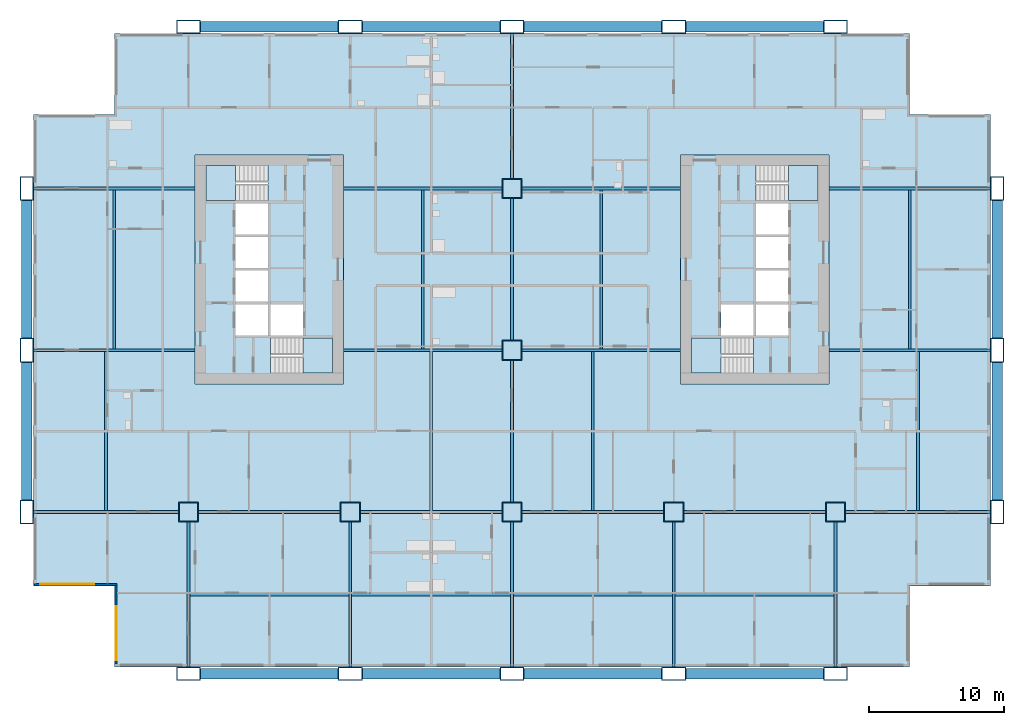
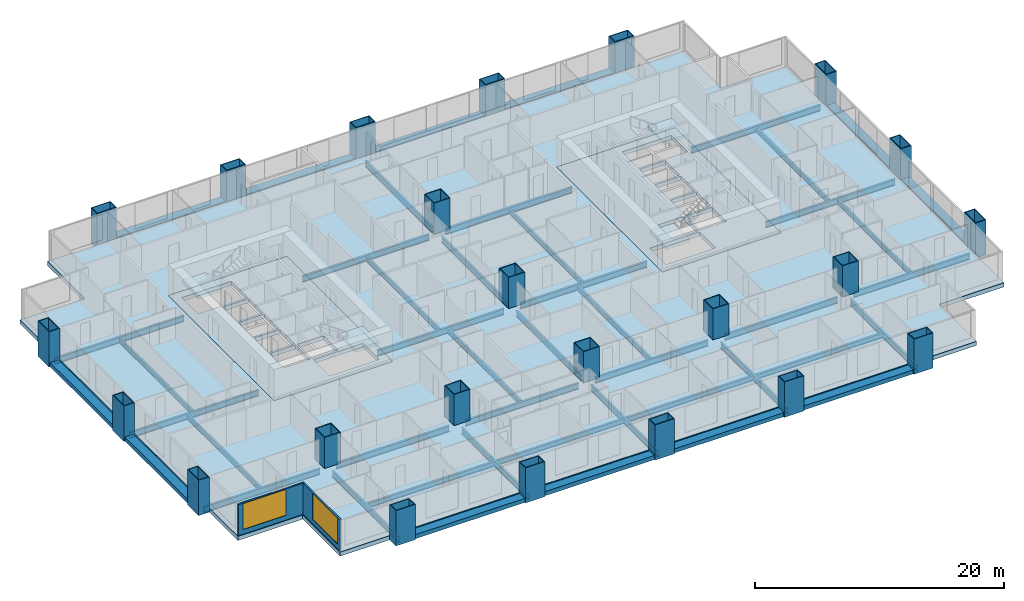
# One storey, part 1 of 13: 46 beams, 23 columns, 7 slabs, 2 walls, 2 windows, 2 openings, 4 elements without a shape of their own.
"""IFC4 building model written with IfcOpenShell, lengths in metres."""

from ifc_helpers import new_model, si_unit, direction, frame, frame_2d, origin, origin_2d, place, context, subcontext, project, spatial, polyline, rectangle, hollow_rectangle, i_section, outline, extrude, material, layer, layer_set, material_profile, profile_set, type_object, element, fill, aggregate, save


model = new_model("IFC4")

# Units and contexts
model_context = context("Model", 3, precision=1e-05, world=origin(), true_north=direction((0.0, 1.0)))
body_context = subcontext(model_context, "Body", "Model", "MODEL_VIEW")
ifc_project = project(units=[si_unit("LENGTHUNIT", "METRE"), si_unit("AREAUNIT", "SQUARE_METRE"), si_unit("VOLUMEUNIT", "CUBIC_METRE"), si_unit("PLANEANGLEUNIT", "RADIAN"), si_unit("MASSUNIT", "GRAM", prefix="KILO")], contexts=[model_context])

# Site, building, storey
site_placement = place(None, origin())
site = spatial("IfcSite", under=ifc_project, at=site_placement, CompositionType="ELEMENT")
building_placement = place(site_placement, origin())
building = spatial("IfcBuilding", under=site, at=building_placement, Name="Kitamizu Gate Tower and Museum", CompositionType="ELEMENT")
storey_placement = place(building_placement, frame((0.0, 0.0, 47.25)))
storey = spatial("IfcBuildingStorey", under=building, at=storey_placement, Name="L10", CompositionType="ELEMENT", Elevation=47.25)

# Columns
ifc_material_1 = material(Name="Steel SM490A bronze coated", Category="steel")
ifc_material_profile_1 = material_profile(ifc_material_1, hollow_rectangle(XDim=1.800048828125, YDim=1.0, WallThickness=0.070068359375, at=origin_2d()), Name="BOX 1800x1000x70")
ifc_profile_set_1 = profile_set([ifc_material_profile_1], Name="Steel SM490A bronze coated")
column_type_1 = type_object("IfcColumnType", Name="Exoskeleton column XC2 BOX 1800x1000x70", PredefinedType="COLUMN", material=ifc_profile_set_1)
for number, where, z_axis, x_axis, name in (
    (1, (0.0, 12.0, -0.39990234375), (0.0, 0.0, 1.0), (0.0, 1.0, 0.0), "Column XC2 1B L10"),
    (2, (0.0, 24.0, -0.39990234375), (0.0, 0.0, 1.0), (0.0, 1.0, 0.0), "Column XC2 1C L10"),
    (3, (0.0, 36.0, -0.39990234375), (0.0, 0.0, 1.0), (0.0, 1.0, 0.0), "Column XC2 1D L10"),
    (4, (12.0, 0.0, -0.39990234375), (0.0, 0.0, 1.0), (1.0, 0.0, 0.0), "Column XC2 2A L10"),
    (5, (12.0, 48.0, -0.39990234375), (0.0, 0.0, 1.0), (1.0, 0.0, 0.0), "Column XC2 2E L10"),
    (6, (24.0, 0.0, -0.39990234375), (0.0, 0.0, 1.0), (1.0, 0.0, 0.0), "Column XC2 3A L10"),
    (7, (24.0, 48.0, -0.39990234375), (0.0, 0.0, 1.0), (1.0, 0.0, 0.0), "Column XC2 3E L10"),
    (8, (36.0, 0.0, -0.39990234375), (0.0, 0.0, 1.0), (1.0, 0.0, 0.0), "Column XC2 4A L10"),
    (9, (36.0, 48.0, -0.39990234375), (0.0, 0.0, 1.0), (1.0, 0.0, 0.0), "Column XC2 4E L10"),
    (10, (48.0, 0.0, -0.39990234375), (0.0, 0.0, 1.0), (1.0, 0.0, 0.0), "Column XC2 5A L10"),
    (11, (48.0, 48.0, -0.39990234375), (0.0, 0.0, 1.0), (1.0, 0.0, 0.0), "Column XC2 5E L10"),
    (12, (60.0, 0.0, -0.39990234375), (0.0, 0.0, 1.0), (1.0, 0.0, 0.0), "Column XC2 6A L10"),
    (13, (60.0, 48.0, -0.39990234375), (0.0, 0.0, 1.0), (1.0, 0.0, 0.0), "Column XC2 6E L10"),
    (14, (72.0, 12.0, -0.39990234375), (0.0, 0.0, 1.0), (0.0, 1.0, 0.0), "Column XC2 7B L10"),
    (15, (72.0, 24.0, -0.39990234375), (0.0, 0.0, 1.0), (0.0, 1.0, 0.0), "Column XC2 7C L10"),
    (16, (72.0, 36.0, -0.39990234375), (0.0, 0.0, 1.0), (0.0, 1.0, 0.0), "Column XC2 7D L10"),
):
    element("IfcColumn", number, at=place(storey_placement, frame(where, z_axis=z_axis, x_axis=x_axis)), inside=storey, type_object=column_type_1, Name=name, PredefinedType="COLUMN", context=body_context, shape_type="SweptSolid", body=[
        extrude(hollow_rectangle(XDim=1.800048828125, YDim=1.0, WallThickness=0.070068359375, at=origin_2d()), origin(), (0.0, 0.0, 1.0), 3.449951171875),
    ])
ifc_material_2 = material(Name="Steel SM490A", Category="steel")
ifc_material_profile_2 = material_profile(ifc_material_2, hollow_rectangle(XDim=1.5, YDim=1.5, WallThickness=0.06494140625, at=origin_2d()), Name="BOX 1500x1500x65")
ifc_profile_set_2 = profile_set([ifc_material_profile_2], Name="Steel SM490A")
column_type_2 = type_object("IfcColumnType", Name="Interior column IC2 BOX 1500x1500x65", PredefinedType="COLUMN", material=ifc_profile_set_2)
for number, where, z_axis, x_axis, name in (
    (17, (12.0, 12.0, 0.0), (0.0, 0.0, 1.0), (1.0, 0.0, 0.0), "Column IC2 2B L10"),
    (18, (24.0, 12.0, 0.0), (0.0, 0.0, 1.0), (1.0, 0.0, 0.0), "Column IC2 3B L10"),
    (19, (36.0, 12.0, 0.0), (0.0, 0.0, 1.0), (1.0, 0.0, 0.0), "Column IC2 4B L10"),
    (20, (36.0, 24.0, 0.0), (0.0, 0.0, 1.0), (1.0, 0.0, 0.0), "Column IC2 4C L10"),
    (21, (36.0, 36.0, 0.0), (0.0, 0.0, 1.0), (1.0, 0.0, 0.0), "Column IC2 4D L10"),
    (22, (48.0, 12.0, 0.0), (0.0, 0.0, 1.0), (1.0, 0.0, 0.0), "Column IC2 5B L10"),
    (23, (60.0, 12.0, 0.0), (0.0, 0.0, 1.0), (1.0, 0.0, 0.0), "Column IC2 6B L10"),
):
    element("IfcColumn", number, at=place(storey_placement, frame(where, z_axis=z_axis, x_axis=x_axis)), inside=storey, type_object=column_type_2, Name=name, PredefinedType="COLUMN", context=body_context, shape_type="SweptSolid", body=[
        extrude(hollow_rectangle(XDim=1.5, YDim=1.5, WallThickness=0.06494140625, at=origin_2d()), origin(), (0.0, 0.0, 1.0), 3.050048828125),
    ])

# Beams
ifc_material_3 = material(Name="Steel SM490A bronze coated", Category="steel")
ifc_material_profile_3 = material_profile(ifc_material_3, hollow_rectangle(XDim=0.800048828125, YDim=0.39990234375, WallThickness=0.0400390625, at=origin_2d()), Name="BOX 800x400x40")
ifc_profile_set_3 = profile_set([ifc_material_profile_3], Name="Steel SM490A bronze coated")
beam_type_1 = type_object("IfcBeamType", Name="Exoskeleton spandrel beam SB1 BOX 800x400x40", PredefinedType="SPANDREL", material=ifc_profile_set_3)
for number, where, z_axis, x_axis, name in (
    (24, (12.89990234375, 0.0, -0.199951171875), (1.0, 0.0, 0.0), (0.0, 1.0, 0.0), "Exoskeleton spandrel beam south 12 L10"),
    (25, (24.89990234375, 0.0, -0.199951171875), (1.0, 0.0, 0.0), (0.0, 1.0, 0.0), "Exoskeleton spandrel beam south 24 L10"),
    (26, (36.89990234375, 0.0, -0.199951171875), (1.0, 0.0, 0.0), (0.0, 1.0, 0.0), "Exoskeleton spandrel beam south 36 L10"),
    (27, (48.89990234375, 0.0, -0.199951171875), (1.0, 0.0, 0.0), (0.0, 1.0, 0.0), "Exoskeleton spandrel beam south 48 L10"),
    (28, (12.89990234375, 48.0, -0.199951171875), (1.0, 0.0, 0.0), (0.0, 1.0, 0.0), "Exoskeleton spandrel beam north 12 L10"),
    (29, (24.89990234375, 48.0, -0.199951171875), (1.0, 0.0, 0.0), (0.0, 1.0, 0.0), "Exoskeleton spandrel beam north 24 L10"),
    (30, (36.89990234375, 48.0, -0.199951171875), (1.0, 0.0, 0.0), (0.0, 1.0, 0.0), "Exoskeleton spandrel beam north 36 L10"),
    (31, (48.89990234375, 48.0, -0.199951171875), (1.0, 0.0, 0.0), (0.0, 1.0, 0.0), "Exoskeleton spandrel beam north 48 L10"),
    (32, (0.0, 12.89990234375, -0.199951171875), (0.0, 1.0, 0.0), (-1.0, 0.0, 0.0), "Exoskeleton spandrel beam west 12 L10"),
    (33, (0.0, 24.89990234375, -0.199951171875), (0.0, 1.0, 0.0), (-1.0, 0.0, 0.0), "Exoskeleton spandrel beam west 24 L10"),
    (34, (72.0, 12.89990234375, -0.199951171875), (0.0, 1.0, 0.0), (-1.0, 0.0, 0.0), "Exoskeleton spandrel beam east 12 L10"),
    (35, (72.0, 24.89990234375, -0.199951171875), (0.0, 1.0, 0.0), (-1.0, 0.0, 0.0), "Exoskeleton spandrel beam east 24 L10"),
):
    element("IfcBeam", number, at=place(storey_placement, frame(where, z_axis=z_axis, x_axis=x_axis)), inside=storey, type_object=beam_type_1, Name=name, PredefinedType="SPANDREL", context=body_context, shape_type="SweptSolid", body=[
        extrude(hollow_rectangle(XDim=0.800048828125, YDim=0.39990234375, WallThickness=0.0400390625, at=origin_2d()), origin(), (0.0, 0.0, 1.0), 10.2001953125),
    ])
ifc_material_4 = material(Name="Steel SM490A", Category="steel")
ifc_material_profile_4 = material_profile(ifc_material_4, i_section(OverallWidth=0.199951171875, OverallDepth=0.5, WebThickness=0.010009765625, FlangeThickness=0.01611328125, FilletRadius=0.02001953125, at=origin_2d()), Name="H-500x200x10x16")
ifc_profile_set_4 = profile_set([ifc_material_profile_4], Name="Steel SM490A")
beam_type_2 = type_object("IfcBeamType", Name="Floor beam FB1 H 500x200x10x16", PredefinedType="BEAM", material=ifc_profile_set_4)
for number, where, z_axis, x_axis, name in (
    (36, (12.10009765625, 5.875, -0.64990234375), (1.0, 0.0, 0.0), (0.0, 1.0, 0.0), "Floor beam FB1 L10-1"),
    (37, (24.10009765625, 5.875, -0.64990234375), (1.0, 0.0, 0.0), (0.0, 1.0, 0.0), "Floor beam FB1 L10-2"),
    (38, (36.10009765625, 5.875, -0.64990234375), (1.0, 0.0, 0.0), (0.0, 1.0, 0.0), "Floor beam FB1 L10-3"),
    (39, (48.10009765625, 5.875, -0.64990234375), (1.0, 0.0, 0.0), (0.0, 1.0, 0.0), "Floor beam FB1 L10-4"),
    (40, (5.875, 12.10009765625, -0.64990234375), (0.0, 1.0, 0.0), (-1.0, 0.0, 0.0), "Floor beam FB1 L10-5"),
    (41, (30.0, 12.10009765625, -0.64990234375), (0.0, 1.0, 0.0), (-1.0, 0.0, 0.0), "Floor beam FB1 L10-6"),
    (42, (42.0, 12.10009765625, -0.64990234375), (0.0, 1.0, 0.0), (-1.0, 0.0, 0.0), "Floor beam FB1 L10-7"),
    (43, (66.125, 12.10009765625, -0.64990234375), (0.0, 1.0, 0.0), (-1.0, 0.0, 0.0), "Floor beam FB1 L10-8"),
    (44, (6.5, 24.10009765625, -0.64990234375), (0.0, 1.0, 0.0), (-1.0, 0.0, 0.0), "Floor beam FB1 L10-9"),
    (45, (29.375, 24.10009765625, -0.64990234375), (0.0, 1.0, 0.0), (-1.0, 0.0, 0.0), "Floor beam FB1 L10-10"),
    (46, (42.625, 24.10009765625, -0.64990234375), (0.0, 1.0, 0.0), (-1.0, 0.0, 0.0), "Floor beam FB1 L10-11"),
    (47, (65.5, 24.10009765625, -0.64990234375), (0.0, 1.0, 0.0), (-1.0, 0.0, 0.0), "Floor beam FB1 L10-12"),
):
    element("IfcBeam", number, at=place(storey_placement, frame(where, z_axis=z_axis, x_axis=x_axis)), inside=storey, type_object=beam_type_2, Name=name, PredefinedType="BEAM", context=body_context, shape_type="SweptSolid", body=[
        extrude(i_section(OverallWidth=0.199951171875, OverallDepth=0.5, WebThickness=0.010009765625, FlangeThickness=0.01611328125, FilletRadius=0.02001953125, at=origin_2d()), origin(), (0.0, 0.0, 1.0), 11.7998046875),
    ])
ifc_material_5 = material(Name="Steel SM490A", Category="steel")
ifc_material_profile_5 = material_profile(ifc_material_5, i_section(OverallWidth=0.199951171875, OverallDepth=0.60009765625, WebThickness=0.010986328125, FlangeThickness=0.01708984375, FilletRadius=0.02197265625, at=origin_2d()), Name="H-600x200x11x17")
ifc_profile_set_5 = profile_set([ifc_material_profile_5], Name="Steel SM490A")
beam_type_3 = type_object("IfcBeamType", Name="Floor girder FG1 H 600x200x11x17", PredefinedType="BEAM", material=ifc_profile_set_5)
for number, where, z_axis, x_axis, name in (
    (48, (12.0, 0.5, -0.699951171875), (0.0, 1.0, 0.0), (-1.0, 0.0, 0.0), "Floor girder FG1 x12 L10"),
    (49, (24.0, 0.5, -0.699951171875), (0.0, 1.0, 0.0), (-1.0, 0.0, 0.0), "Floor girder FG1 x24 L10"),
    (50, (36.0, 0.5, -0.699951171875), (0.0, 1.0, 0.0), (-1.0, 0.0, 0.0), "Floor girder FG1 x36 L10"),
):
    element("IfcBeam", number, at=place(storey_placement, frame(where, z_axis=z_axis, x_axis=x_axis)), inside=storey, type_object=beam_type_3, Name=name, PredefinedType="BEAM", context=body_context, shape_type="SweptSolid", body=[
        extrude(i_section(OverallWidth=0.199951171875, OverallDepth=0.60009765625, WebThickness=0.010986328125, FlangeThickness=0.01708984375, FilletRadius=0.02197265625, at=origin_2d()), origin(), (0.0, 0.0, 1.0), 10.75),
    ])
for number, where, z_axis, x_axis, name in (
    (51, (36.0, 12.75, -0.699951171875), (0.0, 1.0, 0.0), (-1.0, 0.0, 0.0), "Floor girder FG1 x36 L10"),
    (52, (36.0, 24.75, -0.699951171875), (0.0, 1.0, 0.0), (-1.0, 0.0, 0.0), "Floor girder FG1 x36 L10"),
):
    element("IfcBeam", number, at=place(storey_placement, frame(where, z_axis=z_axis, x_axis=x_axis)), inside=storey, type_object=beam_type_3, Name=name, PredefinedType="BEAM", context=body_context, shape_type="SweptSolid", body=[
        extrude(i_section(OverallWidth=0.199951171875, OverallDepth=0.60009765625, WebThickness=0.010986328125, FlangeThickness=0.01708984375, FilletRadius=0.02197265625, at=origin_2d()), origin(), (0.0, 0.0, 1.0), 10.5),
    ])
for number, where, z_axis, x_axis, name in (
    (53, (36.0, 36.75, -0.699951171875), (0.0, 1.0, 0.0), (-1.0, 0.0, 0.0), "Floor girder FG1 x36 L10"),
    (54, (48.0, 0.5, -0.699951171875), (0.0, 1.0, 0.0), (-1.0, 0.0, 0.0), "Floor girder FG1 x48 L10"),
    (55, (60.0, 0.5, -0.699951171875), (0.0, 1.0, 0.0), (-1.0, 0.0, 0.0), "Floor girder FG1 x60 L10"),
    (56, (0.5, 12.0, -0.699951171875), (1.0, 0.0, 0.0), (0.0, 1.0, 0.0), "Floor girder FG1 y12 L10"),
):
    element("IfcBeam", number, at=place(storey_placement, frame(where, z_axis=z_axis, x_axis=x_axis)), inside=storey, type_object=beam_type_3, Name=name, PredefinedType="BEAM", context=body_context, shape_type="SweptSolid", body=[
        extrude(i_section(OverallWidth=0.199951171875, OverallDepth=0.60009765625, WebThickness=0.010986328125, FlangeThickness=0.01708984375, FilletRadius=0.02197265625, at=origin_2d()), origin(), (0.0, 0.0, 1.0), 10.75),
    ])
for number, where, z_axis, x_axis, name in (
    (57, (12.75, 12.0, -0.699951171875), (1.0, 0.0, 0.0), (0.0, 1.0, 0.0), "Floor girder FG1 y12 L10"),
    (58, (24.75, 12.0, -0.699951171875), (1.0, 0.0, 0.0), (0.0, 1.0, 0.0), "Floor girder FG1 y12 L10"),
    (59, (36.75, 12.0, -0.699951171875), (1.0, 0.0, 0.0), (0.0, 1.0, 0.0), "Floor girder FG1 y12 L10"),
    (60, (48.75, 12.0, -0.699951171875), (1.0, 0.0, 0.0), (0.0, 1.0, 0.0), "Floor girder FG1 y12 L10"),
):
    element("IfcBeam", number, at=place(storey_placement, frame(where, z_axis=z_axis, x_axis=x_axis)), inside=storey, type_object=beam_type_3, Name=name, PredefinedType="BEAM", context=body_context, shape_type="SweptSolid", body=[
        extrude(i_section(OverallWidth=0.199951171875, OverallDepth=0.60009765625, WebThickness=0.010986328125, FlangeThickness=0.01708984375, FilletRadius=0.02197265625, at=origin_2d()), origin(), (0.0, 0.0, 1.0), 10.5),
    ])
beam_1_placement = place(storey_placement, frame((60.75, 12.0, -0.699951171875), z_axis=(1.0, 0.0, 0.0), x_axis=(0.0, 1.0, 0.0)))
element("IfcBeam", 61, at=beam_1_placement, inside=storey, type_object=beam_type_3, Name="Floor girder FG1 y12 L10", PredefinedType="BEAM", context=body_context, shape_type="SweptSolid", body=[
    extrude(i_section(OverallWidth=0.199951171875, OverallDepth=0.60009765625, WebThickness=0.010986328125, FlangeThickness=0.01708984375, FilletRadius=0.02197265625, at=origin_2d()), origin(), (0.0, 0.0, 1.0), 10.75),
])
beam_2_placement = place(storey_placement, frame((0.5, 24.0, -0.699951171875), z_axis=(1.0, 0.0, 0.0), x_axis=(0.0, 1.0, 0.0)))
element("IfcBeam", 62, at=beam_2_placement, inside=storey, type_object=beam_type_3, Name="Floor girder FG1 y24 L10", PredefinedType="BEAM", context=body_context, shape_type="SweptSolid", body=[
    extrude(i_section(OverallWidth=0.199951171875, OverallDepth=0.60009765625, WebThickness=0.010986328125, FlangeThickness=0.01708984375, FilletRadius=0.02197265625, at=origin_2d()), origin(), (0.0, 0.0, 1.0), 12.0),
])
for number, where, z_axis, x_axis, name in (
    (63, (23.5, 24.0, -0.699951171875), (1.0, 0.0, 0.0), (0.0, 1.0, 0.0), "Floor girder FG1 y24 L10"),
    (64, (36.75, 24.0, -0.699951171875), (1.0, 0.0, 0.0), (0.0, 1.0, 0.0), "Floor girder FG1 y24 L10"),
):
    element("IfcBeam", number, at=place(storey_placement, frame(where, z_axis=z_axis, x_axis=x_axis)), inside=storey, type_object=beam_type_3, Name=name, PredefinedType="BEAM", context=body_context, shape_type="SweptSolid", body=[
        extrude(i_section(OverallWidth=0.199951171875, OverallDepth=0.60009765625, WebThickness=0.010986328125, FlangeThickness=0.01708984375, FilletRadius=0.02197265625, at=origin_2d()), origin(), (0.0, 0.0, 1.0), 11.75),
    ])
for number, where, z_axis, x_axis, name in (
    (65, (59.5, 24.0, -0.699951171875), (1.0, 0.0, 0.0), (0.0, 1.0, 0.0), "Floor girder FG1 y24 L10"),
    (66, (0.5, 36.0, -0.699951171875), (1.0, 0.0, 0.0), (0.0, 1.0, 0.0), "Floor girder FG1 y36 L10"),
):
    element("IfcBeam", number, at=place(storey_placement, frame(where, z_axis=z_axis, x_axis=x_axis)), inside=storey, type_object=beam_type_3, Name=name, PredefinedType="BEAM", context=body_context, shape_type="SweptSolid", body=[
        extrude(i_section(OverallWidth=0.199951171875, OverallDepth=0.60009765625, WebThickness=0.010986328125, FlangeThickness=0.01708984375, FilletRadius=0.02197265625, at=origin_2d()), origin(), (0.0, 0.0, 1.0), 12.0),
    ])
for number, where, z_axis, x_axis, name in (
    (67, (23.5, 36.0, -0.699951171875), (1.0, 0.0, 0.0), (0.0, 1.0, 0.0), "Floor girder FG1 y36 L10"),
    (68, (36.75, 36.0, -0.699951171875), (1.0, 0.0, 0.0), (0.0, 1.0, 0.0), "Floor girder FG1 y36 L10"),
):
    element("IfcBeam", number, at=place(storey_placement, frame(where, z_axis=z_axis, x_axis=x_axis)), inside=storey, type_object=beam_type_3, Name=name, PredefinedType="BEAM", context=body_context, shape_type="SweptSolid", body=[
        extrude(i_section(OverallWidth=0.199951171875, OverallDepth=0.60009765625, WebThickness=0.010986328125, FlangeThickness=0.01708984375, FilletRadius=0.02197265625, at=origin_2d()), origin(), (0.0, 0.0, 1.0), 11.75),
    ])
beam_3_placement = place(storey_placement, frame((59.5, 36.0, -0.699951171875), z_axis=(1.0, 0.0, 0.0), x_axis=(0.0, 1.0, 0.0)))
element("IfcBeam", 69, at=beam_3_placement, inside=storey, type_object=beam_type_3, Name="Floor girder FG1 y36 L10", PredefinedType="BEAM", context=body_context, shape_type="SweptSolid", body=[
    extrude(i_section(OverallWidth=0.199951171875, OverallDepth=0.60009765625, WebThickness=0.010986328125, FlangeThickness=0.01708984375, FilletRadius=0.02197265625, at=origin_2d()), origin(), (0.0, 0.0, 1.0), 12.0),
])

# Slabs
ifc_material_6 = material(Name="Concrete Fc36", Category="concrete")
ifc_layer_1 = layer(ifc_material_6, 0.39990234375)
ifc_layer_set_1 = layer_set([ifc_layer_1], Name="Concrete Fc36")
slab_type_1 = type_object("IfcSlabType", Name="Core floor slab 400", PredefinedType="FLOOR", material=ifc_layer_set_1)
slab_1_placement = place(storey_placement, frame((0.0, 0.0, -0.39990234375)))
element("IfcSlab", 70, at=slab_1_placement, inside=storey, type_object=slab_type_1, Name="Core floor slab W", PredefinedType="FLOOR", context=body_context, shape_type="SweptSolid", body=[
    extrude(outline(polyline([(12.5, 21.5), (23.5, 21.5), (23.5, 38.5), (12.5, 38.5), (12.5, 21.5)]), holes=[polyline([(15.5, 25.10009765625), (17.89990234375, 25.10009765625), (17.89990234375, 27.39990234375), (15.5, 27.39990234375), (15.5, 25.10009765625)]), polyline([(15.5, 27.60009765625), (17.89990234375, 27.60009765625), (17.89990234375, 29.89990234375), (15.5, 29.89990234375), (15.5, 27.60009765625)]), polyline([(15.5, 30.10009765625), (17.89990234375, 30.10009765625), (17.89990234375, 32.39990234375), (15.5, 32.39990234375), (15.5, 30.10009765625)]), polyline([(15.5, 32.60009765625), (17.89990234375, 32.60009765625), (17.89990234375, 34.89990234375), (15.5, 34.89990234375), (15.5, 32.60009765625)]), polyline([(18.10009765625, 25.10009765625), (20.5, 25.10009765625), (20.5, 27.39990234375), (18.10009765625, 27.39990234375), (18.10009765625, 25.10009765625)]), polyline([(18.1005859375, 22.300048828125), (22.699951171875, 22.300048828125), (22.699951171875, 24.89990234375), (18.1005859375, 24.89990234375), (18.1005859375, 22.300048828125)]), polyline([(13.300048828125, 35.10009765625), (17.8994140625, 35.10009765625), (17.8994140625, 37.699951171875), (13.300048828125, 37.699951171875), (13.300048828125, 35.10009765625)])]), origin(), (0.0, 0.0, 1.0), 0.39990234375),
])
slab_2_placement = place(storey_placement, frame((0.0, 0.0, -0.39990234375)))
element("IfcSlab", 71, at=slab_2_placement, inside=storey, type_object=slab_type_1, Name="Core floor slab E", PredefinedType="FLOOR", context=body_context, shape_type="SweptSolid", body=[
    extrude(outline(polyline([(48.5, 21.5), (59.5, 21.5), (59.5, 38.5), (48.5, 38.5), (48.5, 21.5)]), holes=[polyline([(54.10009765625, 25.10009765625), (56.5, 25.10009765625), (56.5, 27.39990234375), (54.10009765625, 27.39990234375), (54.10009765625, 25.10009765625)]), polyline([(54.10009765625, 27.60009765625), (56.5, 27.60009765625), (56.5, 29.89990234375), (54.10009765625, 29.89990234375), (54.10009765625, 27.60009765625)]), polyline([(54.10009765625, 30.10009765625), (56.5, 30.10009765625), (56.5, 32.39990234375), (54.10009765625, 32.39990234375), (54.10009765625, 30.10009765625)]), polyline([(54.10009765625, 32.60009765625), (56.5, 32.60009765625), (56.5, 34.89990234375), (54.10009765625, 34.89990234375), (54.10009765625, 32.60009765625)]), polyline([(51.5, 25.10009765625), (53.89990234375, 25.10009765625), (53.89990234375, 27.39990234375), (51.5, 27.39990234375), (51.5, 25.10009765625)]), polyline([(49.300048828125, 22.300048828125), (53.8994140625, 22.300048828125), (53.8994140625, 24.89990234375), (49.300048828125, 24.89990234375), (49.300048828125, 22.300048828125)]), polyline([(54.1005859375, 35.10009765625), (58.699951171875, 35.10009765625), (58.699951171875, 37.699951171875), (54.1005859375, 37.699951171875), (54.1005859375, 35.10009765625)])]), origin(), (0.0, 0.0, 1.0), 0.39990234375),
])
ifc_material_7 = material(Name="Concrete Fc36", Category="concrete")
ifc_layer_2 = layer(ifc_material_7, 0.39990234375)
ifc_layer_set_2 = layer_set([ifc_layer_2], Name="Concrete Fc36")
slab_type_2 = type_object("IfcSlabType", Name="Post tensioned flat slab 400", PredefinedType="FLOOR", material=ifc_layer_set_2)
slab_3_placement = place(storey_placement, frame((0.0, 0.0, -0.39990234375)))
element("IfcSlab", 72, at=slab_3_placement, inside=storey, type_object=slab_type_2, Name="Floor slab L10-1", PredefinedType="FLOOR", context=body_context, shape_type="SweptSolid", body=[
    extrude(outline(polyline([(0.5, 6.5), (0.5, 41.5), (6.5, 41.5), (6.5, 47.5), (65.5, 47.5), (65.5, 41.5), (71.5, 41.5), (71.5, 6.5), (65.5, 6.5), (65.5, 0.5), (6.5, 0.5), (6.5, 6.5), (0.5, 6.5)]), holes=[polyline([(59.5, 38.5), (48.5, 38.5), (48.5, 21.5), (59.5, 21.5), (59.5, 38.5)]), polyline([(12.5, 38.5), (12.5, 21.5), (23.5, 21.5), (23.5, 38.5), (12.5, 38.5)])]), origin(), (0.0, 0.0, 1.0), 0.39990234375),
])

# Stair, slab
ifc_material_8 = material(Name="Concrete Fc42", Category="concrete")
stair_type = type_object("IfcStairType", Name="Exit stair 1200 wide 192 rise 300 going", PredefinedType="HALF_TURN_STAIR", material=ifc_material_8)
stair_1_placement = place(storey_placement, origin())
stair_1 = element("IfcStair", 73, at=stair_1_placement, inside=storey, type_object=stair_type, Name="Exit stair ST1", PredefinedType="HALF_TURN_STAIR")
ifc_material_9 = material(Name="Concrete Fc42", Category="concrete")
ifc_layer_3 = layer(ifc_material_9, 0.300048828125)
ifc_layer_set_3 = layer_set([ifc_layer_3], Name="Concrete Fc42")
slab_type_3 = type_object("IfcSlabType", Name="Stair landing 300", PredefinedType="LANDING", material=ifc_layer_set_3)
slab_4_placement = place(storey_placement, frame((0.0, 0.0, 1.425048828125)))
slab_4 = element("IfcSlab", 74, at=slab_4_placement, type_object=slab_type_3, Name="ST1 landing 1", PredefinedType="LANDING", context=body_context, shape_type="SweptSolid", body=[
    extrude(outline(polyline([(20.5, 22.300048828125), (22.699951171875, 22.300048828125), (22.699951171875, 24.89990234375), (20.5, 24.89990234375), (20.5, 22.300048828125)])), origin(), (0.0, 0.0, 1.0), 0.300048828125),
])
aggregate(stair_1, [slab_4])

stair_2_placement = place(storey_placement, origin())
stair_2 = element("IfcStair", 75, at=stair_2_placement, inside=storey, type_object=stair_type, Name="Exit stair ST2", PredefinedType="HALF_TURN_STAIR")
slab_5_placement = place(storey_placement, frame((0.0, 0.0, 1.425048828125)))
slab_5 = element("IfcSlab", 76, at=slab_5_placement, type_object=slab_type_3, Name="ST2 landing 1", PredefinedType="LANDING", context=body_context, shape_type="SweptSolid", body=[
    extrude(outline(polyline([(13.300048828125, 35.10009765625), (15.5, 35.10009765625), (15.5, 37.699951171875), (13.300048828125, 37.699951171875), (13.300048828125, 35.10009765625)])), origin(), (0.0, 0.0, 1.0), 0.300048828125),
])
aggregate(stair_2, [slab_5])

stair_3_placement = place(storey_placement, origin())
stair_3 = element("IfcStair", 77, at=stair_3_placement, inside=storey, type_object=stair_type, Name="Exit stair ST3", PredefinedType="HALF_TURN_STAIR")
slab_6_placement = place(storey_placement, frame((0.0, 0.0, 1.425048828125)))
slab_6 = element("IfcSlab", 78, at=slab_6_placement, type_object=slab_type_3, Name="ST3 landing 1", PredefinedType="LANDING", context=body_context, shape_type="SweptSolid", body=[
    extrude(outline(polyline([(49.300048828125, 22.300048828125), (51.5, 22.300048828125), (51.5, 24.89990234375), (49.300048828125, 24.89990234375), (49.300048828125, 22.300048828125)])), origin(), (0.0, 0.0, 1.0), 0.300048828125),
])
aggregate(stair_3, [slab_6])

stair_4_placement = place(storey_placement, origin())
stair_4 = element("IfcStair", 79, at=stair_4_placement, inside=storey, type_object=stair_type, Name="Exit stair ST4", PredefinedType="HALF_TURN_STAIR")
slab_7_placement = place(storey_placement, frame((0.0, 0.0, 1.425048828125)))
slab_7 = element("IfcSlab", 80, at=slab_7_placement, type_object=slab_type_3, Name="ST4 landing 1", PredefinedType="LANDING", context=body_context, shape_type="SweptSolid", body=[
    extrude(outline(polyline([(56.5, 35.10009765625), (58.699951171875, 35.10009765625), (58.699951171875, 37.699951171875), (56.5, 37.699951171875), (56.5, 35.10009765625)])), origin(), (0.0, 0.0, 1.0), 0.300048828125),
])
aggregate(stair_4, [slab_7])

# Wall, opening, window
ifc_material_10 = material(Name="Bronze anodised aluminium frame with insulated spandrel and tinted glass", Category="aluminium")
ifc_layer_4 = layer(ifc_material_10, 0.14990234375)
ifc_layer_set_4 = layer_set([ifc_layer_4], Name="Bronze anodised aluminium frame with insulated spandrel and tinted glass")
wall_type = type_object("IfcWallType", Name="WINDOW WALL 150 BRONZE FRAME EI 30", PredefinedType="ELEMENTEDWALL", material=ifc_layer_set_4)
wall_1_placement = place(storey_placement, frame((0.56005859375, 6.635009765625, 0.0), z_axis=(0.0, 0.0, 1.0), x_axis=(1.0, 0.0, 0.0)))
wall_1 = element("IfcWall", 81, at=wall_1_placement, inside=storey, type_object=wall_type, Name="Window wall south L10", PredefinedType="ELEMENTEDWALL", context=body_context, shape_type="SweptSolid", body=[
    extrude(rectangle(XDim=6.14990234375, YDim=0.14990234375, at=frame_2d((3.074951171875, 0.0))), origin(), (0.0, 0.0, 1.0), 3.050048828125),
])
opening_1_placement = place(wall_1_placement, frame((0.43994140625, 0.0, 0.449951171875)))
opening_1 = element("IfcOpeningElement", 82, at=opening_1_placement, cuts=wall_1, Name="Opening W16", PredefinedType="OPENING", context=body_context, shape_type="SweptSolid", body=[
    extrude(rectangle(XDim=4.0, YDim=2.550048828125, at=frame_2d((2.0, 1.27490234375))), frame((0.0, 0.0849609375, 0.0), z_axis=(0.0, -1.0, 0.0), x_axis=(1.0, 0.0, 0.0)), (0.0, 0.0, 1.0), 0.169921875),
])
ifc_material_11 = material(Name="Bronze anodised aluminium frame, tinted triple glazing", Category="aluminium")
window_type = type_object("IfcWindowType", Name="WINDOW 4000 x 2550 SILL 450", PartitioningType="SINGLE_PANEL", PredefinedType="WINDOW", material=ifc_material_11)
window_1_placement = place(opening_1_placement, origin())
window_1 = element("IfcWindow", 83, at=window_1_placement, inside=storey, type_object=window_type, Name="Window W16 L10", OverallHeight=2.550048828125, OverallWidth=4.0, PartitioningType="SINGLE_PANEL", PredefinedType="WINDOW", context=body_context, shape_type="SweptSolid", body=[
    extrude(rectangle(XDim=4.0, YDim=2.550048828125, at=frame_2d((2.0, 1.27490234375))), frame((0.0, 0.030029296875, 0.0), z_axis=(0.0, -1.0, 0.0), x_axis=(1.0, 0.0, 0.0)), (0.0, 0.0, 1.0), 0.06005859375),
])
fill(opening_1, window_1)

wall_2_placement = place(storey_placement, frame((6.635009765625, 0.7099609375, 0.0), z_axis=(0.0, 0.0, 1.0), x_axis=(0.0, 1.0, 0.0)))
wall_2 = element("IfcWall", 84, at=wall_2_placement, inside=storey, type_object=wall_type, Name="Window wall west L10", PredefinedType="ELEMENTEDWALL", context=body_context, shape_type="SweptSolid", body=[
    extrude(rectangle(XDim=5.85009765625, YDim=0.14990234375, at=frame_2d((2.925048828125, 0.0))), origin(), (0.0, 0.0, 1.0), 3.050048828125),
])
opening_2_placement = place(wall_2_placement, frame((0.2900390625, 0.0, 0.449951171875)))
opening_2 = element("IfcOpeningElement", 85, at=opening_2_placement, cuts=wall_2, Name="Opening W16", PredefinedType="OPENING", context=body_context, shape_type="SweptSolid", body=[
    extrude(rectangle(XDim=4.0, YDim=2.550048828125, at=frame_2d((2.0, 1.27490234375))), frame((0.0, 0.0849609375, 0.0), z_axis=(0.0, -1.0, 0.0), x_axis=(1.0, 0.0, 0.0)), (0.0, 0.0, 1.0), 0.169921875),
])
window_2_placement = place(opening_2_placement, origin())
window_2 = element("IfcWindow", 86, at=window_2_placement, inside=storey, type_object=window_type, Name="Window W16 L10", OverallHeight=2.550048828125, OverallWidth=4.0, PartitioningType="SINGLE_PANEL", PredefinedType="WINDOW", context=body_context, shape_type="SweptSolid", body=[
    extrude(rectangle(XDim=4.0, YDim=2.550048828125, at=frame_2d((2.0, 1.27490234375))), frame((0.0, 0.030029296875, 0.0), z_axis=(0.0, -1.0, 0.0), x_axis=(1.0, 0.0, 0.0)), (0.0, 0.0, 1.0), 0.06005859375),
])
fill(opening_2, window_2)

save(model, "model.ifc")
